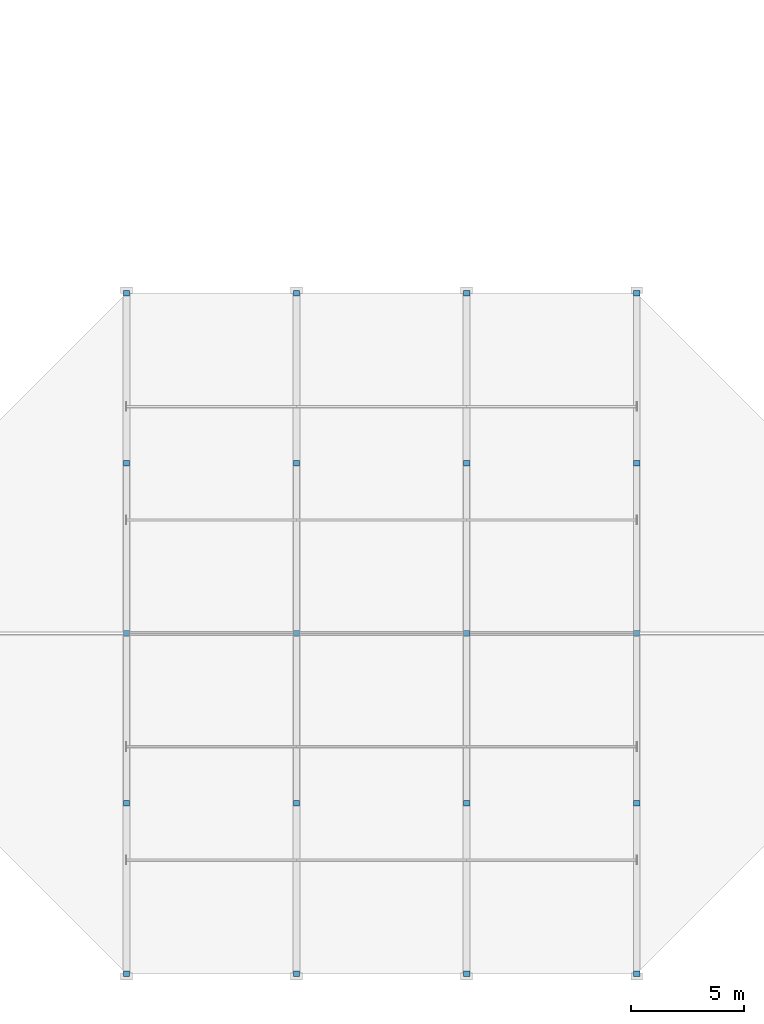
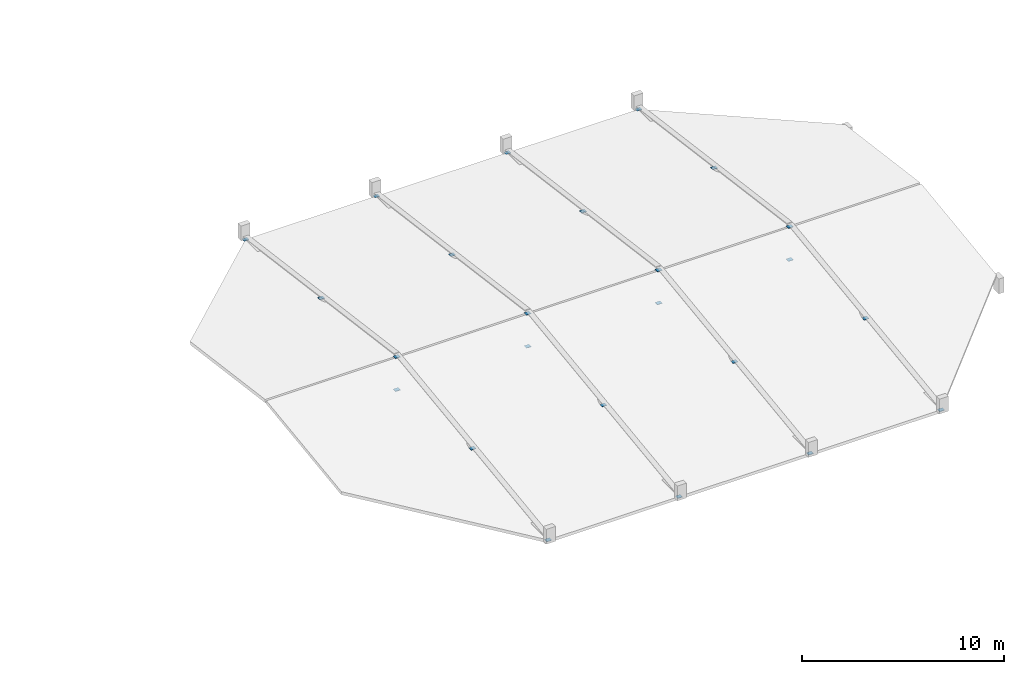
# One storey, part 87 of 101: 24 discrete accessories.
"""IFC4 building model written with IfcOpenShell, lengths in metres."""

import ifcopenshell
import ifcopenshell.guid

model = None  # the IFC model being written
_history = None  # IfcOwnerHistory: only IFC2X3 demands one
_inside = {}  # id of a spatial element -> (the spatial element, [elements in it])
_under = {}  # id of a project, library or spatial element -> (it, [spatial elements below it])
_declared = {}  # id of a project -> (the project, [libraries it declares])
_typed = {}  # id of a type object -> (the type object, [elements of that type])
_made_of = {}  # id of a material, layer set ... -> (it, [elements and type objects made of it])


def new_model(schema):
    """Start an empty IFC model of exactly this schema.

    Asked for "IFC4X3", IfcOpenShell would pick the latest addendum, in which some entities
    have other attributes; the version numbers below select the first issue.
    IFC2X3 requires an IfcOwnerHistory on every rooted entity: one is made here for all.
    """
    global model, _history
    if schema == "IFC4X3":
        model = ifcopenshell.file(schema_version=(4, 3, 0, 0))
    else:
        model = ifcopenshell.file(schema=schema)
    _inside.clear()
    _under.clear()
    _declared.clear()
    _typed.clear()
    _made_of.clear()
    _history = None
    if model.schema == "IFC2X3":
        org = make("IfcOrganization", Name="unknown")
        user = make(
            "IfcPersonAndOrganization",
            ThePerson=make("IfcPerson", FamilyName="unknown"),
            TheOrganization=org,
        )
        app = make(
            "IfcApplication",
            ApplicationDeveloper=org,
            Version="unknown",
            ApplicationFullName="unknown",
            ApplicationIdentifier="unknown",
        )
        _history = make(
            "IfcOwnerHistory",
            OwningUser=user,
            OwningApplication=app,
            ChangeAction="ADDED",
            CreationDate=0,
        )
    return model


def make(cls, **values):
    """One entity of the class cls with the attributes given. An attribute that is None is left unset."""
    return model.create_entity(
        cls, **{name: value for name, value in values.items() if value is not None}
    )


def rooted(cls, **values):
    """An entity with a GlobalId (a new one), such as an element, a storey or a relation."""
    return make(cls, GlobalId=ifcopenshell.guid.new(), OwnerHistory=_history, **values)


def si_unit(unit_type, name, prefix=None):
    """IfcSIUnit, for example si_unit("LENGTHUNIT", "METRE", prefix="MILLI")."""
    return make("IfcSIUnit", UnitType=unit_type, Prefix=prefix, Name=name)


def assignment(units):
    """IfcUnitAssignment: the units of a project."""
    return None if units is None else make("IfcUnitAssignment", Units=units)


def point(xyz):
    """IfcCartesianPoint."""
    return None if xyz is None else make("IfcCartesianPoint", Coordinates=xyz)


def direction(xyz):
    """IfcDirection."""
    return None if xyz is None else make("IfcDirection", DirectionRatios=xyz)


def frame(location, z_axis=None, x_axis=None):
    """IfcAxis2Placement3D, a coordinate frame: its origin and axes. An axis left out is left unset."""
    return make(
        "IfcAxis2Placement3D",
        Location=point(location),
        Axis=direction(z_axis),
        RefDirection=direction(x_axis),
    )


def frame_2d(location, x_axis=None):
    """IfcAxis2Placement2D, a coordinate frame in the plane: its origin and x axis."""
    return make(
        "IfcAxis2Placement2D", Location=point(location), RefDirection=direction(x_axis)
    )


def origin():
    """The frame at (0, 0, 0) with its axes left unset."""
    return frame((0.0, 0.0, 0.0))


def origin_2d():
    """The frame at (0, 0) in the plane with its x axis left unset."""
    return frame_2d((0.0, 0.0))


def place(relative_to, where):
    """IfcLocalPlacement: puts the frame where relative to a parent placement (None: the world)."""
    return make(
        "IfcLocalPlacement", PlacementRelTo=relative_to, RelativePlacement=where
    )


def context(
    kind, dimensions, precision=None, world=None, true_north=None, identifier=None
):
    """IfcGeometricRepresentationContext, for example the 3D "Model" context."""
    return make(
        "IfcGeometricRepresentationContext",
        ContextIdentifier=identifier,
        ContextType=kind,
        CoordinateSpaceDimension=dimensions,
        Precision=precision,
        WorldCoordinateSystem=world,
        TrueNorth=true_north,
    )


def subcontext(parent, identifier, kind, view, scale=None):
    """IfcGeometricRepresentationSubContext, for example "Body" below "Model"."""
    return make(
        "IfcGeometricRepresentationSubContext",
        ContextIdentifier=identifier,
        ContextType=kind,
        ParentContext=parent,
        TargetScale=scale,
        TargetView=view,
    )


def project(units=None, contexts=None):
    """IfcProject with its units and contexts."""
    return rooted(
        "IfcProject",
        Name="project",
        RepresentationContexts=contexts,
        UnitsInContext=assignment(units),
    )


def spatial(cls, under=None, at=None, **own):
    """A site, building, storey or space (cls), placed at a placement, below another one or the project."""
    s = rooted(cls, ObjectPlacement=at, **own)
    if under is not None:
        _under.setdefault(under.id(), (under, []))[1].append(s)
    return s


def profile(cls, at=None, kind="AREA", **sizes):
    """A parametric profile (cls). Its sizes go by their IFC names, for example OverallWidth=200.0."""
    return make(cls, ProfileType=kind, Position=at, **sizes)


def rectangle(**sizes):
    """IfcRectangleProfileDef."""
    return profile("IfcRectangleProfileDef", **sizes)


def extrude(swept, where, along, depth):
    """IfcExtrudedAreaSolid: the profile swept, set in the frame where, extruded along a direction by depth."""
    return make(
        "IfcExtrudedAreaSolid",
        SweptArea=swept,
        Position=where,
        ExtrudedDirection=direction(along),
        Depth=depth,
    )


def shape(context_of_items, identifier, shape_type, items):
    """IfcShapeRepresentation: the items that make up one representation, for example the "Body"."""
    return make(
        "IfcShapeRepresentation",
        ContextOfItems=context_of_items,
        RepresentationIdentifier=identifier,
        RepresentationType=shape_type,
        Items=items,
    )


def material(Name=None, Category=None):
    """IfcMaterial."""
    return make("IfcMaterial", Name=Name, Category=Category)


def made_of(thing, what):
    """Note that an element or type object is made of a material, layer set ...; save() writes the relation."""
    if what is not None:
        _made_of.setdefault(what.id(), (what, []))[1].append(thing)
    return thing


def type_object(cls, material=None, **own):
    """A type object (cls), such as IfcWallType, which elements share."""
    return made_of(rooted(cls, **own), material)


def element(
    cls,
    number,
    at=None,
    inside=None,
    cuts=None,
    type_object=None,
    material=None,
    context=None,
    identifier="Body",
    shape_type=None,
    held_by="IfcProductDefinitionShape",
    body=None,
    shapes=None,
    **own,
):
    """One element of the class cls, such as IfcWall. Its Tag is "e" and its number.

    at: its placement. inside: the storey or other place that contains it. cuts: it is an
    opening in that element (IfcRelVoidsElement). A single representation is given by context,
    identifier, shape_type and body (its items); several are given by shapes. held_by: the class
    of the entity that holds the representations. save() writes the other relations.
    """
    e = rooted(cls, Tag="e%d" % number, ObjectPlacement=at, **own)
    if body is not None:
        shapes = [shape(context, identifier, shape_type, body)]
    if shapes is not None:
        e.Representation = make(held_by, Representations=shapes)
    if inside is not None:
        _inside.setdefault(inside.id(), (inside, []))[1].append(e)
    if cuts is not None:
        rooted(
            "IfcRelVoidsElement", RelatingBuildingElement=cuts, RelatedOpeningElement=e
        )
    if type_object is not None:
        _typed.setdefault(type_object.id(), (type_object, []))[1].append(e)
    return made_of(e, material)


def aggregate(whole, parts):
    """IfcRelAggregates: a whole, such as a stair, and the parts it consists of."""
    return rooted("IfcRelAggregates", RelatingObject=whole, RelatedObjects=parts)


def save(model, path):
    """Write the relations noted so far, then the file.

    IfcRelAggregates (storeys below a building ...), IfcRelContainedInSpatialStructure (elements
    in a storey), IfcRelDefinesByType, IfcRelAssociatesMaterial and IfcRelDeclares: one each for
    every whole, place, type object, material and project.
    """
    for whole, parts in _under.values():
        aggregate(whole, parts)
    for where, things in _inside.values():
        rooted(
            "IfcRelContainedInSpatialStructure",
            RelatedElements=things,
            RelatingStructure=where,
        )
    for kind, things in _typed.values():
        rooted("IfcRelDefinesByType", RelatedObjects=things, RelatingType=kind)
    for what, things in _made_of.values():
        rooted("IfcRelAssociatesMaterial", RelatedObjects=things, RelatingMaterial=what)
    for by, libraries in _declared.values():
        rooted("IfcRelDeclares", RelatingContext=by, RelatedDefinitions=libraries)
    model.write(path)


model = new_model("IFC4")

# Units and contexts
model_context = context("Model", 3, precision=1e-05, world=origin(), true_north=direction((0.0, 1.0)))
body_context = subcontext(model_context, "Body", "Model", "MODEL_VIEW")
ifc_project = project(units=[si_unit("LENGTHUNIT", "METRE"), si_unit("AREAUNIT", "SQUARE_METRE"), si_unit("VOLUMEUNIT", "CUBIC_METRE"), si_unit("PLANEANGLEUNIT", "RADIAN"), si_unit("MASSUNIT", "GRAM", prefix="KILO")], contexts=[model_context])

# Site, building, storey
site_placement = place(None, origin())
site = spatial("IfcSite", under=ifc_project, at=site_placement, CompositionType="ELEMENT")
building_placement = place(site_placement, origin())
building = spatial("IfcBuilding", under=site, at=building_placement, Name="Qasida Concert Hall", CompositionType="ELEMENT")
storey_placement = place(building_placement, frame((0.0, 0.0, 13.199951171875)))
storey = spatial("IfcBuildingStorey", under=building, at=storey_placement, Name="L03", CompositionType="ELEMENT", Elevation=13.199951171875)

# Discrete accessories
ifc_material = material(Name="Steel S355J2", Category="steel")
discrete_accessory_type = type_object("IfcDiscreteAccessoryType", Name="ACC-CONN-S355", PredefinedType="BRACKET", material=ifc_material)
for number, where, z_axis, x_axis, name in (
    (1, (135.0, 0.0, -0.011962890625), (0.0, 0.0, 1.0), (1.0, 0.0, 0.0), "Steel brace/strut end connection CN-0090"),
    (2, (135.0, 15.0, -0.011962890625), (0.0, 0.0, 1.0), (1.0, 0.0, 0.0), "Steel brace/strut end connection CN-0091"),
    (3, (135.0, 30.0, -0.011962890625), (0.0, 0.0, 1.0), (1.0, 0.0, 0.0), "Steel brace/strut end connection CN-0092"),
    (4, (135.0, 15.0, 1.988037109375), (0.0, 0.0, 1.0), (1.0, 0.0, 0.0), "Steel brace/strut end connection CN-0093"),
    (5, (135.0, 7.5, 0.988037109375), (0.0, 0.0, 1.0), (1.0, 0.0, 0.0), "Steel brace/strut end connection CN-0094"),
    (6, (135.0, 22.5, 0.988037109375), (0.0, 0.0, 1.0), (1.0, 0.0, 0.0), "Steel brace/strut end connection CN-0095"),
    (7, (142.5, 0.0, -0.011962890625), (0.0, 0.0, 1.0), (1.0, 0.0, 0.0), "Steel brace/strut end connection CN-0096"),
    (8, (142.5, 15.0, -0.011962890625), (0.0, 0.0, 1.0), (1.0, 0.0, 0.0), "Steel brace/strut end connection CN-0097"),
    (9, (142.5, 30.0, -0.011962890625), (0.0, 0.0, 1.0), (1.0, 0.0, 0.0), "Steel brace/strut end connection CN-0098"),
    (10, (142.5, 15.0, 1.988037109375), (0.0, 0.0, 1.0), (1.0, 0.0, 0.0), "Steel brace/strut end connection CN-0099"),
    (11, (142.5, 7.5, 0.988037109375), (0.0, 0.0, 1.0), (1.0, 0.0, 0.0), "Steel brace/strut end connection CN-0100"),
    (12, (142.5, 22.5, 0.988037109375), (0.0, 0.0, 1.0), (1.0, 0.0, 0.0), "Steel brace/strut end connection CN-0101"),
    (13, (150.0, 0.0, -0.011962890625), (0.0, 0.0, 1.0), (1.0, 0.0, 0.0), "Steel brace/strut end connection CN-0102"),
    (14, (150.0, 15.0, -0.011962890625), (0.0, 0.0, 1.0), (1.0, 0.0, 0.0), "Steel brace/strut end connection CN-0103"),
    (15, (150.0, 30.0, -0.011962890625), (0.0, 0.0, 1.0), (1.0, 0.0, 0.0), "Steel brace/strut end connection CN-0104"),
    (16, (150.0, 15.0, 1.988037109375), (0.0, 0.0, 1.0), (1.0, 0.0, 0.0), "Steel brace/strut end connection CN-0105"),
    (17, (150.0, 7.5, 0.988037109375), (0.0, 0.0, 1.0), (1.0, 0.0, 0.0), "Steel brace/strut end connection CN-0106"),
    (18, (150.0, 22.5, 0.988037109375), (0.0, 0.0, 1.0), (1.0, 0.0, 0.0), "Steel brace/strut end connection CN-0107"),
    (19, (157.5, 0.0, -0.011962890625), (0.0, 0.0, 1.0), (1.0, 0.0, 0.0), "Steel brace/strut end connection CN-0108"),
    (20, (157.5, 15.0, -0.011962890625), (0.0, 0.0, 1.0), (1.0, 0.0, 0.0), "Steel brace/strut end connection CN-0109"),
    (21, (157.5, 30.0, -0.011962890625), (0.0, 0.0, 1.0), (1.0, 0.0, 0.0), "Steel brace/strut end connection CN-0110"),
    (22, (157.5, 15.0, 1.988037109375), (0.0, 0.0, 1.0), (1.0, 0.0, 0.0), "Steel brace/strut end connection CN-0111"),
    (23, (157.5, 7.5, 0.988037109375), (0.0, 0.0, 1.0), (1.0, 0.0, 0.0), "Steel brace/strut end connection CN-0112"),
    (24, (157.5, 22.5, 0.988037109375), (0.0, 0.0, 1.0), (1.0, 0.0, 0.0), "Steel brace/strut end connection CN-0113"),
):
    element("IfcDiscreteAccessory", number, at=place(storey_placement, frame(where, z_axis=z_axis, x_axis=x_axis)), inside=storey, type_object=discrete_accessory_type, Name=name, PredefinedType="BRACKET", context=body_context, shape_type="SweptSolid", body=[
        extrude(rectangle(XDim=0.280029296875, YDim=0.239990234375, at=origin_2d()), origin(), (0.0, 0.0, 1.0), 0.02392578125),
    ])

save(model, "model.ifc")
